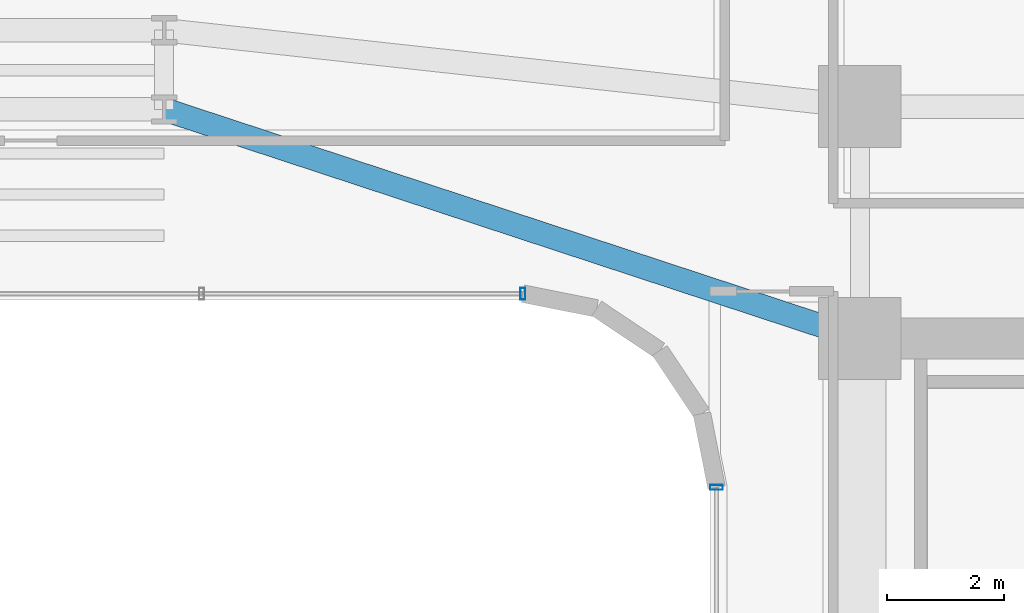
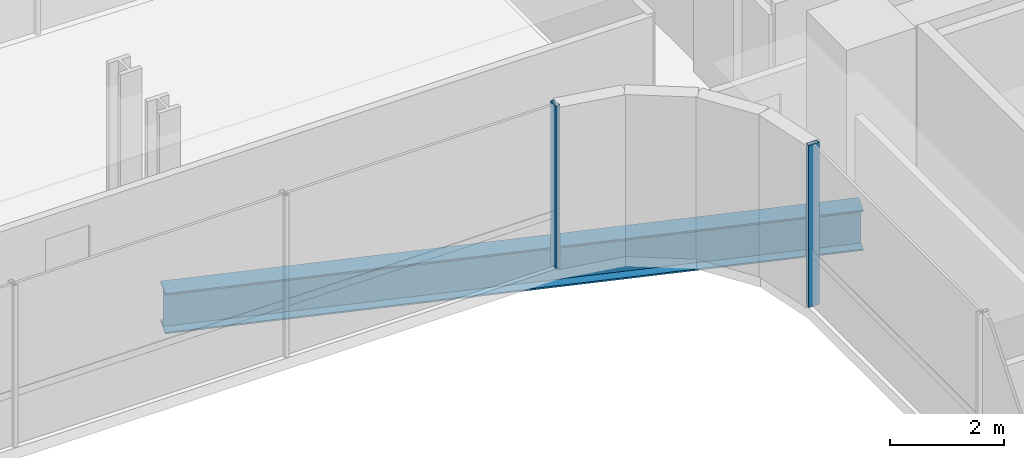
# One storey, part 15 of 39: 2 members, 1 beam, 2 elements without a shape of their own.
"""IFC4 building model written with IfcOpenShell, lengths in metres."""

from ifc_helpers import new_model, si_unit, direction, frame, origin, origin_2d, place, context, subcontext, project, spatial, hollow_rectangle, i_section, extrude, source, transform, mapped, material, material_profile, profile_set, type_object, element, aggregate, save


model = new_model("IFC4")

# Units and contexts
model_context = context("Model", 3, precision=1e-05, world=origin(), true_north=direction((0.0, 1.0)))
body_context = subcontext(model_context, "Body", "Model", "MODEL_VIEW")
ifc_project = project(units=[si_unit("LENGTHUNIT", "METRE"), si_unit("AREAUNIT", "SQUARE_METRE"), si_unit("VOLUMEUNIT", "CUBIC_METRE"), si_unit("PLANEANGLEUNIT", "RADIAN"), si_unit("MASSUNIT", "GRAM", prefix="KILO")], contexts=[model_context])

# Site, building, storey
site_placement = place(None, origin())
site = spatial("IfcSite", under=ifc_project, at=site_placement, CompositionType="ELEMENT")
building_placement = place(site_placement, origin())
building = spatial("IfcBuilding", under=site, at=building_placement, Name="Valdorenza Pilgrim Sanctuary Tower", CompositionType="ELEMENT")
storey_placement = place(building_placement, frame((0.0, 0.0, 70.39990234375)))
storey = spatial("IfcBuildingStorey", under=building, at=storey_placement, Name="L17", CompositionType="ELEMENT", Elevation=70.39990234375)

# Beam
ifc_material_1 = material(Name="Steel ASTM A992 Grade 50", Category="steel")
ifc_material_profile_1 = material_profile(ifc_material_1, i_section(OverallWidth=0.39990234375, OverallDepth=0.862060546875, WebThickness=0.019775390625, FlangeThickness=0.032470703125, at=origin_2d()), Name="W33X221")
ifc_profile_set_1 = profile_set([ifc_material_profile_1], Name="Steel ASTM A992 Grade 50")
beam_type = type_object("IfcBeamType", Name="STR-BM-GRD-W33", PredefinedType="BEAM", material=ifc_profile_set_1)
shared_shape_1 = source(origin(), body_context, "Body", "SweptSolid", [
    extrude(i_section(OverallWidth=0.39990234375, OverallDepth=0.862060546875, WebThickness=0.019775390625, FlangeThickness=0.032470703125, at=origin_2d()), origin(), (0.0, 0.0, 1.0), 12.475341796875),
])
beam_placement = place(storey_placement, frame((4.0, 13.449951171875, -0.6708984375), z_axis=(0.949881908141, -0.312608957943, 0.0), x_axis=(0.312608957943, 0.949881908141, 0.0)))
element("IfcBeam", 1, at=beam_placement, inside=storey, type_object=beam_type, Name="L17 Floor Girder KNK-G3", PredefinedType="BEAM", context=body_context, shape_type="MappedRepresentation", body=[
    mapped(shared_shape_1, transform((0.0, 0.0, 0.0), x_axis=(1.0, 0.0, 0.0), y_axis=(0.0, 1.0, 0.0), z_axis=(0.0, 0.0, 1.0), scale=1.0)),
])

# Curtain wall, member
ifc_material_2 = material(Name="Curtain-wall IGU glazing", Category="glass")
curtain_wall_type_1 = type_object("IfcCurtainWallType", Name="CW-SYS-02", PredefinedType="NOTDEFINED", material=ifc_material_2)
curtain_wall_1_placement = place(storey_placement, origin())
curtain_wall_1 = element("IfcCurtainWall", 2, at=curtain_wall_1_placement, inside=storey, type_object=curtain_wall_type_1, Name="L17 Curtain Wall CW-L17-1-36", PredefinedType="NOTDEFINED")
ifc_material_3 = material(Name="Anodised aluminium AW-6060", Category="aluminium")
ifc_material_profile_2 = material_profile(ifc_material_3, hollow_rectangle(XDim=0.0849609375, YDim=0.199951171875, WallThickness=0.0048828125, at=origin_2d()), Name="ALU-M 200x85x5")
ifc_profile_set_2 = profile_set([ifc_material_profile_2], Name="Anodised aluminium AW-6060")
member_type_1 = type_object("IfcMemberType", Name="CW-MUL-02", PredefinedType="MULLION", material=ifc_profile_set_2)
shared_shape_2 = source(origin(), body_context, "Body", "SweptSolid", [
    extrude(hollow_rectangle(XDim=0.0849609375, YDim=0.199951171875, WallThickness=0.0048828125, at=origin_2d()), origin(), (0.0, 0.0, 1.0), 3.460205078125),
])
member_1_placement = place(storey_placement, frame((10.11083984375, 10.31005859375, 0.0), z_axis=(0.0, 0.0, 1.0), x_axis=(-1.0, 0.0, 0.0)))
member_1 = element("IfcMember", 3, at=member_1_placement, type_object=member_type_1, Name="CW-L17-1-36 Mullion 1", PredefinedType="MULLION", context=body_context, shape_type="MappedRepresentation", body=[
    mapped(shared_shape_2, transform((0.0, 0.0, 0.0), x_axis=(1.0, 0.0, 0.0), y_axis=(0.0, 1.0, 0.0), z_axis=(0.0, 0.0, 1.0), scale=1.0)),
])
aggregate(curtain_wall_1, [member_1])

curtain_wall_type_2 = type_object("IfcCurtainWallType", Name="CW-SYS-03", PredefinedType="NOTDEFINED", material=ifc_material_2)
curtain_wall_2_placement = place(storey_placement, origin())
curtain_wall_2 = element("IfcCurtainWall", 4, at=curtain_wall_2_placement, inside=storey, type_object=curtain_wall_type_2, Name="L17 Curtain Wall CW-L17-1-31", PredefinedType="NOTDEFINED")
ifc_material_profile_3 = material_profile(ifc_material_3, hollow_rectangle(XDim=0.0849609375, YDim=0.219970703125, WallThickness=0.0048828125, at=origin_2d()), Name="ALU-M 220x85x5")
ifc_profile_set_3 = profile_set([ifc_material_profile_3], Name="Anodised aluminium AW-6060")
member_type_2 = type_object("IfcMemberType", Name="CW-MUL-03", PredefinedType="MULLION", material=ifc_profile_set_3)
shared_shape_3 = source(origin(), body_context, "Body", "SweptSolid", [
    extrude(hollow_rectangle(XDim=0.0849609375, YDim=0.219970703125, WallThickness=0.0048828125, at=origin_2d()), origin(), (0.0, 0.0, 1.0), 3.460205078125),
])
member_2_placement = place(storey_placement, frame((13.409912109375, 7.0107421875, 0.0), z_axis=(0.0, 0.0, 1.0), x_axis=(0.0, 1.0, 0.0)))
member_2 = element("IfcMember", 5, at=member_2_placement, type_object=member_type_2, Name="CW-L17-1-31 Mullion 4", PredefinedType="MULLION", context=body_context, shape_type="MappedRepresentation", body=[
    mapped(shared_shape_3, transform((0.0, 0.0, 0.0), x_axis=(1.0, 0.0, 0.0), y_axis=(0.0, 1.0, 0.0), z_axis=(0.0, 0.0, 1.0), scale=1.0)),
])
aggregate(curtain_wall_2, [member_2])

save(model, "model.ifc")
